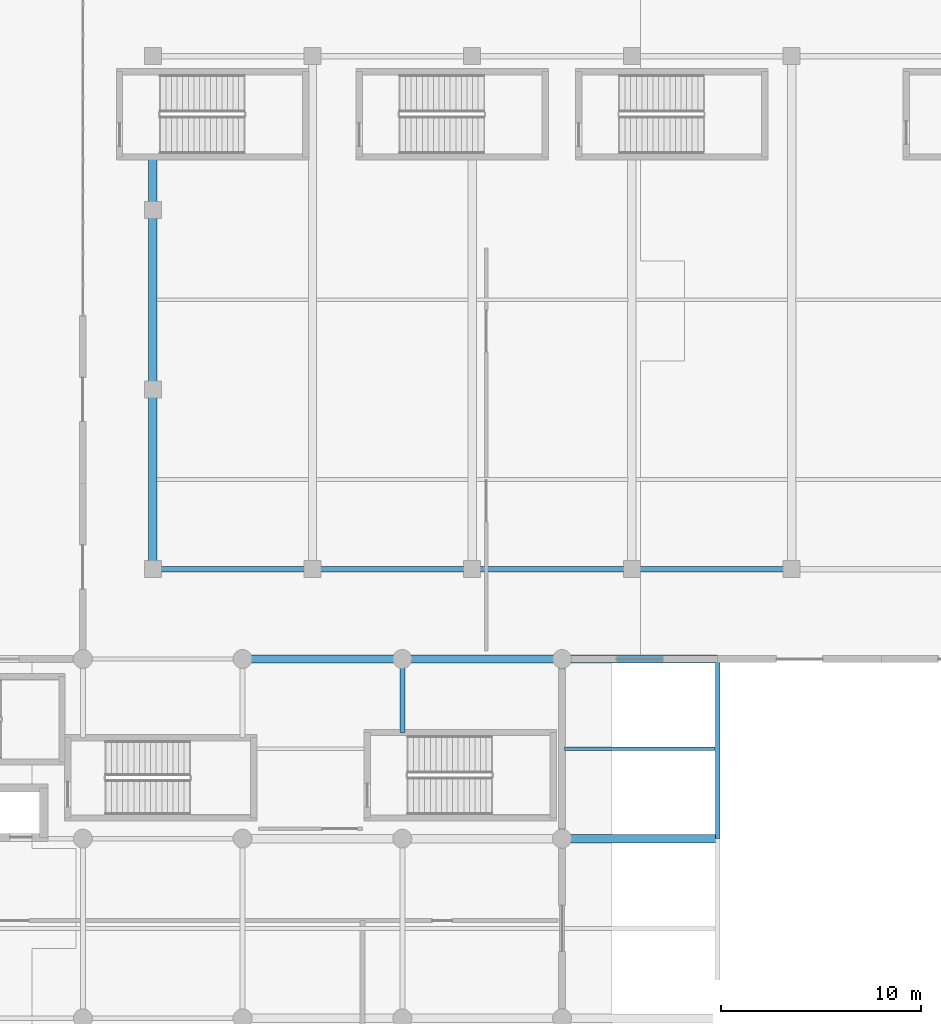
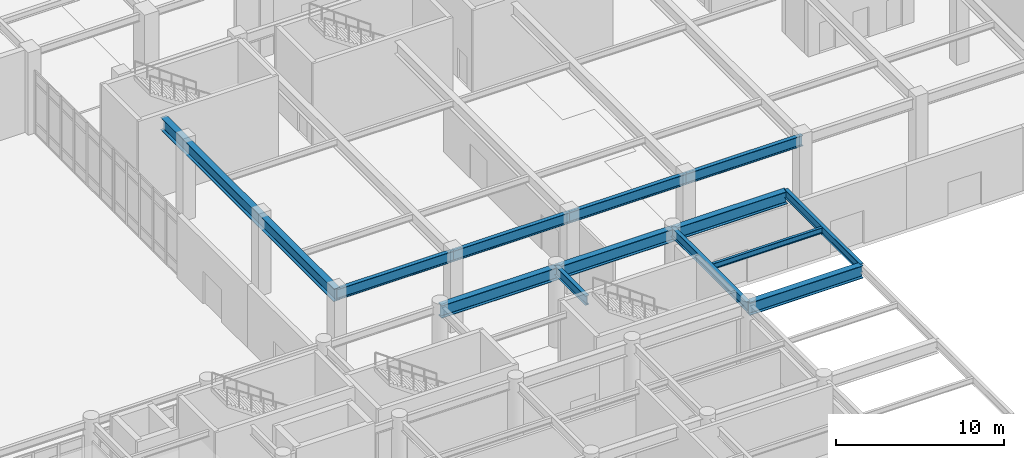
# One storey, part 16 of 49: 12 beams.
"""IFC4 building model written with IfcOpenShell, lengths in metres."""

from ifc_helpers import new_model, si_unit, direction, frame, origin, origin_2d, place, context, subcontext, project, spatial, i_section, extrude, material, material_profile, profile_set, type_object, element, save


model = new_model("IFC4")

# Units and contexts
model_context = context("Model", 3, precision=1e-05, world=origin(), true_north=direction((0.0, 1.0)))
body_context = subcontext(model_context, "Body", "Model", "MODEL_VIEW")
ifc_project = project(units=[si_unit("LENGTHUNIT", "METRE"), si_unit("AREAUNIT", "SQUARE_METRE"), si_unit("VOLUMEUNIT", "CUBIC_METRE"), si_unit("PLANEANGLEUNIT", "RADIAN"), si_unit("MASSUNIT", "GRAM", prefix="KILO")], contexts=[model_context])

# Site, building, storey
site_placement = place(None, origin())
site = spatial("IfcSite", under=ifc_project, at=site_placement, CompositionType="ELEMENT")
building_placement = place(site_placement, origin())
building = spatial("IfcBuilding", under=site, at=building_placement, Name="Tlacozan Convention Centre", CompositionType="ELEMENT")
storey_placement = place(building_placement, origin())
storey = spatial("IfcBuildingStorey", under=building, at=storey_placement, Name="L00", CompositionType="ELEMENT", Elevation=0.0)

# Beams
ifc_material = material(Name="Steel ASTM A992 Grade 50", Category="steel")
ifc_material_profile_1 = material_profile(ifc_material, i_section(OverallWidth=0.41796875, OverallDepth=0.912109375, WebThickness=0.019287109375, FlangeThickness=0.031982421875, FilletRadius=0.02001953125, at=origin_2d()), Name="IR 914x342.0")
ifc_profile_set_1 = profile_set([ifc_material_profile_1], Name="Steel ASTM A992 Grade 50")
beam_type_1 = type_object("IfcBeamType", Name="Ballroom Span Girder IR 914x342", PredefinedType="BEAM", material=ifc_profile_set_1)
beam_1_placement = place(storey_placement, frame((91.5, 31.5, 5.2041015625), z_axis=(0.0, 1.0, 0.0), x_axis=(-1.0, 0.0, 0.0)))
element("IfcBeam", 1, at=beam_1_placement, inside=storey, type_object=beam_type_1, Name="L00 Ballroom Span Girder IR 914x342 1408", PredefinedType="BEAM", context=body_context, shape_type="SweptSolid", body=[
    extrude(i_section(OverallWidth=0.41796875, OverallDepth=0.912109375, WebThickness=0.019287109375, FlangeThickness=0.031982421875, FilletRadius=0.02001953125, at=origin_2d()), origin(), (0.0, 0.0, 1.0), 20.639892578125),
])
ifc_material_profile_2 = material_profile(ifc_material, i_section(OverallWidth=0.41796875, OverallDepth=0.912109375, WebThickness=0.019287109375, FlangeThickness=0.031982421875, FilletRadius=0.02001953125, at=origin_2d()), Name="IR 914x342.0")
ifc_profile_set_2 = profile_set([ifc_material_profile_2], Name="Steel ASTM A992 Grade 50")
beam_type_2 = type_object("IfcBeamType", Name="Cantilever Girder IR 914x342", PredefinedType="BEAM", material=ifc_profile_set_2)
for number, where, z_axis, x_axis, name in (
    (2, (112.0, 18.0, 5.263916015625), (1.0, 0.0, 0.0), (0.0, 1.0, 0.0), "L00 Cantilever Girder IR 914x342 185"),
    (3, (112.0, 27.0, 5.2041015625), (1.0, 0.0, 0.0), (0.0, 1.0, 0.0), "L00 Cantilever Girder IR 914x342 189"),
):
    element("IfcBeam", number, at=place(storey_placement, frame(where, z_axis=z_axis, x_axis=x_axis)), inside=storey, type_object=beam_type_2, Name=name, PredefinedType="BEAM", context=body_context, shape_type="SweptSolid", body=[
        extrude(i_section(OverallWidth=0.41796875, OverallDepth=0.912109375, WebThickness=0.019287109375, FlangeThickness=0.031982421875, FilletRadius=0.02001953125, at=origin_2d()), origin(), (0.0, 0.0, 1.0), 7.800048828125),
    ])
ifc_material_profile_3 = material_profile(ifc_material, i_section(OverallWidth=0.256103515625, OverallDepth=0.693115234375, WebThickness=0.014404296875, FlangeThickness=0.023681640625, FilletRadius=0.014892578125, at=origin_2d()), Name="IR 686x170.0")
ifc_profile_set_3 = profile_set([ifc_material_profile_3], Name="Steel ASTM A992 Grade 50")
beam_type_3 = type_object("IfcBeamType", Name="Girder Steel IR 686x170", PredefinedType="BEAM", material=ifc_profile_set_3)
beam_2_placement = place(storey_placement, frame((104.0, 23.320068359375, 5.37353515625), z_axis=(0.0, 1.0, 0.0), x_axis=(-1.0, 0.0, 0.0)))
element("IfcBeam", 4, at=beam_2_placement, inside=storey, type_object=beam_type_3, Name="L00 Girder Steel IR 686x170 164", PredefinedType="BEAM", context=body_context, shape_type="SweptSolid", body=[
    extrude(i_section(OverallWidth=0.256103515625, OverallDepth=0.693115234375, WebThickness=0.014404296875, FlangeThickness=0.023681640625, FilletRadius=0.014892578125, at=origin_2d()), origin(), (0.0, 0.0, 1.0), 3.679931640625),
])
beam_3_placement = place(storey_placement, frame((112.0, 18.0, 5.37353515625), z_axis=(0.0, 1.0, 0.0), x_axis=(-1.0, 0.0, 0.0)))
element("IfcBeam", 5, at=beam_3_placement, inside=storey, type_object=beam_type_3, Name="L00 Girder Steel IR 686x170 167", PredefinedType="BEAM", context=body_context, shape_type="SweptSolid", body=[
    extrude(i_section(OverallWidth=0.256103515625, OverallDepth=0.693115234375, WebThickness=0.014404296875, FlangeThickness=0.023681640625, FilletRadius=0.014892578125, at=origin_2d()), origin(), (0.0, 0.0, 1.0), 9.0),
])
ifc_material_profile_4 = material_profile(ifc_material, i_section(OverallWidth=0.26806640625, OverallDepth=0.77001953125, WebThickness=0.015625, FlangeThickness=0.025390625, FilletRadius=0.01708984375, at=origin_2d()), Name="IR 762x196.0")
ifc_profile_set_4 = profile_set([ifc_material_profile_4], Name="Steel ASTM A992 Grade 50")
beam_type_4 = type_object("IfcBeamType", Name="Girder Steel IR 762x196", PredefinedType="BEAM", material=ifc_profile_set_4)
for number, where, z_axis, x_axis, name in (
    (6, (91.5, 31.5, 5.27490234375), (1.0, 0.0, 0.0), (0.0, 1.0, 0.0), "L00 Girder Steel IR 762x196 1415"),
    (7, (99.5, 31.5, 5.27490234375), (1.0, 0.0, 0.0), (0.0, 1.0, 0.0), "L00 Girder Steel IR 762x196 1419"),
    (8, (107.5, 31.5, 5.27490234375), (1.0, 0.0, 0.0), (0.0, 1.0, 0.0), "L00 Girder Steel IR 762x196 1423"),
    (9, (115.5, 31.5, 5.27490234375), (1.0, 0.0, 0.0), (0.0, 1.0, 0.0), "L00 Girder Steel IR 762x196 1427"),
):
    element("IfcBeam", number, at=place(storey_placement, frame(where, z_axis=z_axis, x_axis=x_axis)), inside=storey, type_object=beam_type_4, Name=name, PredefinedType="BEAM", context=body_context, shape_type="SweptSolid", body=[
        extrude(i_section(OverallWidth=0.26806640625, OverallDepth=0.77001953125, WebThickness=0.015625, FlangeThickness=0.025390625, FilletRadius=0.01708984375, at=origin_2d()), origin(), (0.0, 0.0, 1.0), 8.0),
    ])
ifc_material_profile_5 = material_profile(ifc_material, i_section(OverallWidth=0.22900390625, OverallDepth=0.612060546875, WebThickness=0.011962890625, FlangeThickness=0.01953125, FilletRadius=0.012939453125, at=origin_2d()), Name="IR 610x125.0")
ifc_profile_set_5 = profile_set([ifc_material_profile_5], Name="Steel ASTM A992 Grade 50")
beam_type_5 = type_object("IfcBeamType", Name="Perimeter Spandrel IR 610x125", PredefinedType="SPANDREL", material=ifc_profile_set_5)
beam_4_placement = place(storey_placement, frame((119.800048828125, 18.0, 5.4140625), z_axis=(0.0, 1.0, 0.0), x_axis=(-1.0, 0.0, 0.0)))
element("IfcBeam", 10, at=beam_4_placement, inside=storey, type_object=beam_type_5, Name="L00 Perimeter Spandrel IR 610x125 173", PredefinedType="SPANDREL", context=body_context, shape_type="SweptSolid", body=[
    extrude(i_section(OverallWidth=0.22900390625, OverallDepth=0.612060546875, WebThickness=0.011962890625, FlangeThickness=0.01953125, FilletRadius=0.012939453125, at=origin_2d()), origin(), (0.0, 0.0, 1.0), 9.0),
])
ifc_material_profile_6 = material_profile(ifc_material, i_section(OverallWidth=0.179931640625, OverallDepth=0.4130859375, WebThickness=0.009765625, FlangeThickness=0.01611328125, FilletRadius=0.010986328125, at=origin_2d()), Name="IR 406x74.4")
ifc_profile_set_6 = profile_set([ifc_material_profile_6], Name="Steel ASTM A992 Grade 50")
beam_type_6 = type_object("IfcBeamType", Name="Secondary Joist IR 406x74.4", PredefinedType="JOIST", material=ifc_profile_set_6)
beam_5_placement = place(storey_placement, frame((112.1259765625, 22.5, 5.513427734375), z_axis=(1.0, 0.0, 0.0), x_axis=(0.0, 1.0, 0.0)))
element("IfcBeam", 11, at=beam_5_placement, inside=storey, type_object=beam_type_6, Name="L00 Secondary Joist IR 406x74.4 262", PredefinedType="JOIST", context=body_context, shape_type="SweptSolid", body=[
    extrude(i_section(OverallWidth=0.179931640625, OverallDepth=0.4130859375, WebThickness=0.009765625, FlangeThickness=0.01611328125, FilletRadius=0.010986328125, at=origin_2d()), origin(), (0.0, 0.0, 1.0), 7.548095703125),
])
ifc_material_profile_7 = material_profile(ifc_material, i_section(OverallWidth=0.41796875, OverallDepth=0.912109375, WebThickness=0.019287109375, FlangeThickness=0.031982421875, FilletRadius=0.02001953125, at=origin_2d()), Name="IR 914x342.0")
ifc_profile_set_7 = profile_set([ifc_material_profile_7], Name="Steel ASTM A992 Grade 50")
beam_type_7 = type_object("IfcBeamType", Name="Transfer Girder IR 914x342", PredefinedType="BEAM", material=ifc_profile_set_7)
beam_6_placement = place(storey_placement, frame((96.0, 27.0, 5.2041015625), z_axis=(1.0, 0.0, 0.0), x_axis=(0.0, 1.0, 0.0)))
element("IfcBeam", 12, at=beam_6_placement, inside=storey, type_object=beam_type_7, Name="L00 Transfer Girder IR 914x342 188", PredefinedType="BEAM", context=body_context, shape_type="SweptSolid", body=[
    extrude(i_section(OverallWidth=0.41796875, OverallDepth=0.912109375, WebThickness=0.019287109375, FlangeThickness=0.031982421875, FilletRadius=0.02001953125, at=origin_2d()), origin(), (0.0, 0.0, 1.0), 16.0),
])

save(model, "model.ifc")
